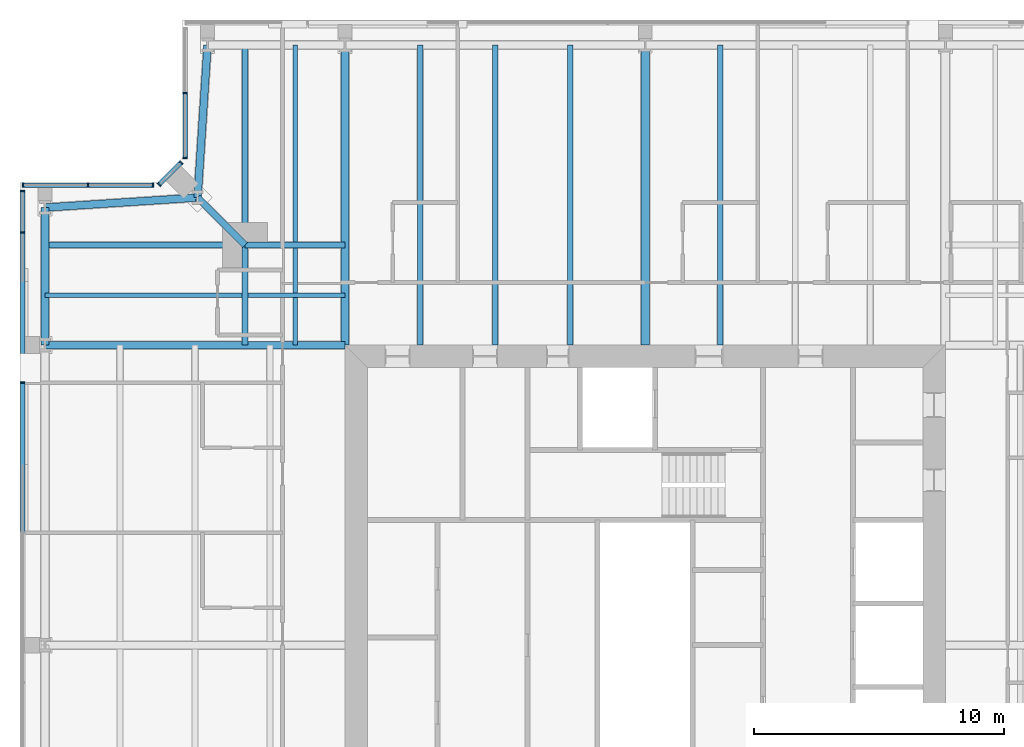
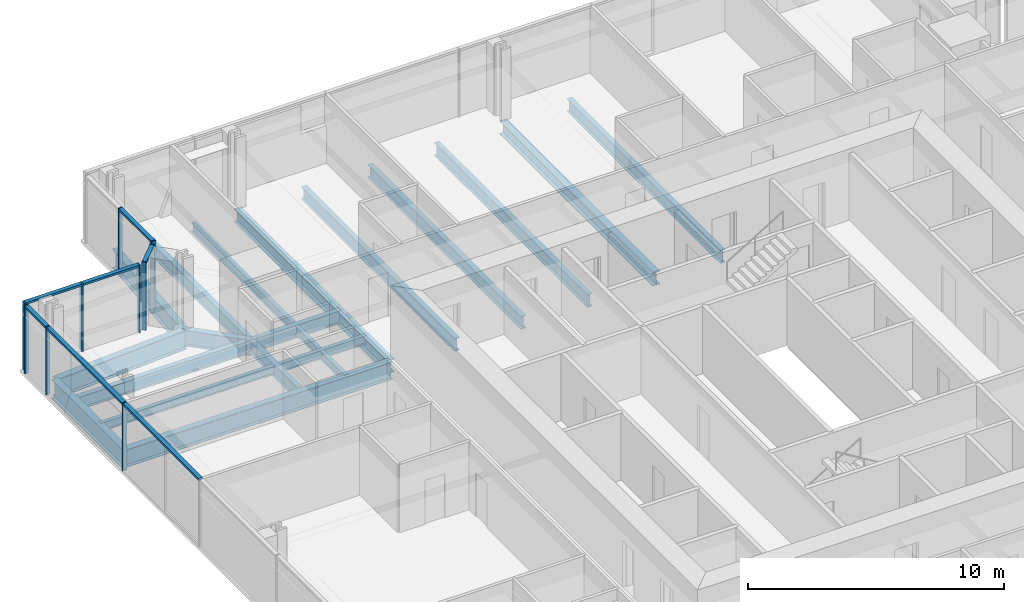
# One storey, part 7 of 18: 20 beams, 17 members, 4 elements without a shape of their own.
"""IFC4 building model written with IfcOpenShell, lengths in metres."""

from ifc_helpers import new_model, si_unit, direction, frame, origin, origin_2d, place, context, subcontext, project, spatial, rectangle, i_section, extrude, material, material_profile, profile_set, type_object, element, aggregate, save


model = new_model("IFC4")

# Units and contexts
model_context = context("Model", 3, precision=1e-05, world=origin(), true_north=direction((0.0, 1.0)))
body_context = subcontext(model_context, "Body", "Model", "MODEL_VIEW")
ifc_project = project(units=[si_unit("LENGTHUNIT", "METRE"), si_unit("AREAUNIT", "SQUARE_METRE"), si_unit("VOLUMEUNIT", "CUBIC_METRE"), si_unit("PLANEANGLEUNIT", "RADIAN"), si_unit("MASSUNIT", "GRAM", prefix="KILO")], contexts=[model_context])

# Site, building, storey
site_placement = place(None, origin())
site = spatial("IfcSite", under=ifc_project, at=site_placement, CompositionType="ELEMENT")
building_placement = place(site_placement, origin())
building = spatial("IfcBuilding", under=site, at=building_placement, Name="Fenwick Lantern Interchange", CompositionType="ELEMENT")
storey_placement = place(building_placement, frame((0.0, 0.0, 266.199951171875)))
storey = spatial("IfcBuildingStorey", under=building, at=storey_placement, Name="L63", CompositionType="ELEMENT", Elevation=266.199951171875)

# Beams
ifc_material_1 = material(Name="Steel ASTM A992 Grade 50", Category="steel")
ifc_material_profile_1 = material_profile(ifc_material_1, i_section(OverallWidth=0.3046875, OverallDepth=0.911865234375, WebThickness=0.015869140625, FlangeThickness=0.02392578125, at=origin_2d()), Name="W36X150")
ifc_profile_set_1 = profile_set([ifc_material_profile_1], Name="Steel ASTM A992 Grade 50")
beam_type_1 = type_object("IfcBeamType", Name="EDGE BEAM W36X150", PredefinedType="SPANDREL", material=ifc_profile_set_1)
for number, where, z_axis, x_axis, name in (
    (1, (7.5, 49.0, -0.60595703125), (-0.065416293237, -0.997858060337, 0.0), (0.997858060337, -0.065416293237, 0.0), "L63/FR/N/EBR1"),
    (2, (7.10009765625, 42.89990234375, -0.60595703125), (-0.997858060337, -0.065416293237, 0.0), (0.065416293237, -0.997858060337, 0.0), "L63/FR/N/EBR2"),
):
    element("IfcBeam", number, at=place(storey_placement, frame(where, z_axis=z_axis, x_axis=x_axis)), inside=storey, type_object=beam_type_1, Name=name, PredefinedType="SPANDREL", context=body_context, shape_type="SweptSolid", body=[
        extrude(i_section(OverallWidth=0.3046875, OverallDepth=0.911865234375, WebThickness=0.015869140625, FlangeThickness=0.02392578125, at=origin_2d()), origin(), (0.0, 0.0, 1.0), 6.11328125),
    ])
beam_1_placement = place(storey_placement, frame((1.0, 42.5, -0.60595703125), z_axis=(0.0, -1.0, 0.0), x_axis=(1.0, 0.0, 0.0)))
element("IfcBeam", 3, at=beam_1_placement, inside=storey, type_object=beam_type_1, Name="L63/FR/W/EB1", PredefinedType="SPANDREL", context=body_context, shape_type="SweptSolid", body=[
    extrude(i_section(OverallWidth=0.3046875, OverallDepth=0.911865234375, WebThickness=0.015869140625, FlangeThickness=0.02392578125, at=origin_2d()), origin(), (0.0, 0.0, 1.0), 5.5),
])
ifc_material_profile_2 = material_profile(ifc_material_1, i_section(OverallWidth=0.22900390625, OverallDepth=0.612060546875, WebThickness=0.011962890625, FlangeThickness=0.01953125, at=origin_2d()), Name="W24X84")
ifc_profile_set_2 = profile_set([ifc_material_profile_2], Name="Steel ASTM A992 Grade 50")
beam_type_2 = type_object("IfcBeamType", Name="FLOOR BEAM W24X84", PredefinedType="BEAM", material=ifc_profile_set_2)
for number, where, z_axis, x_axis, name in (
    (4, (28.0, 49.0, -0.4560546875), (0.0, -1.0, 0.0), (1.0, 0.0, 0.0), "L63/FR/N/R04"),
    (5, (22.0, 49.0, -0.4560546875), (0.0, -1.0, 0.0), (1.0, 0.0, 0.0), "L63/FR/N/R06"),
    (6, (19.0, 49.0, -0.4560546875), (0.0, -1.0, 0.0), (1.0, 0.0, 0.0), "L63/FR/N/R07"),
    (7, (16.0, 49.0, -0.4560546875), (0.0, -1.0, 0.0), (1.0, 0.0, 0.0), "L63/FR/N/R08"),
):
    element("IfcBeam", number, at=place(storey_placement, frame(where, z_axis=z_axis, x_axis=x_axis)), inside=storey, type_object=beam_type_2, Name=name, PredefinedType="BEAM", context=body_context, shape_type="SweptSolid", body=[
        extrude(i_section(OverallWidth=0.22900390625, OverallDepth=0.612060546875, WebThickness=0.011962890625, FlangeThickness=0.01953125, at=origin_2d()), origin(), (0.0, 0.0, 1.0), 12.0),
    ])

# Curtain wall, members
ifc_material_2 = material(Name="Aluminium curtain wall frame", Category="aluminium")
curtain_wall_type = type_object("IfcCurtainWallType", Name="HOTEL CURTAIN WALL", PredefinedType="USERDEFINED", material=ifc_material_2)
curtain_wall_1_placement = place(storey_placement, origin())
curtain_wall_1 = element("IfcCurtainWall", 8, at=curtain_wall_1_placement, inside=storey, type_object=curtain_wall_type, Name="Hotel curtain wall 10", ObjectType="HOTEL CURTAIN WALL", PredefinedType="USERDEFINED")
ifc_material_3 = material(Name="Aluminium extrusion", Category="aluminium")
ifc_material_profile_3 = material_profile(ifc_material_3, rectangle(XDim=0.179931640625, YDim=0.06005859375, at=origin_2d()), Name="HOTEL CURTAIN WALL MULLION 60 X 180")
ifc_profile_set_3 = profile_set([ifc_material_profile_3], Name="Aluminium extrusion")
member_type_1 = type_object("IfcMemberType", Name="HOTEL CURTAIN WALL MULLION 60 X 180", PredefinedType="MULLION", material=ifc_profile_set_3)
member_1_placement = place(storey_placement, frame((6.60009765625, 47.079345703125, 0.0), z_axis=(0.0, 0.0, 1.0), x_axis=(1.0, 0.0, 0.0)))
member_1 = element("IfcMember", 9, at=member_1_placement, type_object=member_type_1, Name="L63/CW/10/M01", PredefinedType="MULLION", context=body_context, shape_type="SweptSolid", body=[
    extrude(rectangle(XDim=0.179931640625, YDim=0.06005859375, at=origin_2d()), origin(), (0.0, 0.0, 1.0), 3.25),
])
member_2_placement = place(storey_placement, frame((6.60009765625, 44.488525390625, 0.0), z_axis=(0.0, 0.0, 1.0), x_axis=(1.0, 0.0, 0.0)))
member_2 = element("IfcMember", 10, at=member_2_placement, type_object=member_type_1, Name="L63/CW/10/M02", PredefinedType="MULLION", context=body_context, shape_type="SweptSolid", body=[
    extrude(rectangle(XDim=0.179931640625, YDim=0.06005859375, at=origin_2d()), origin(), (0.0, 0.0, 1.0), 3.25),
])

curtain_wall_2_placement = place(storey_placement, origin())
curtain_wall_2 = element("IfcCurtainWall", 11, at=curtain_wall_2_placement, inside=storey, type_object=curtain_wall_type, Name="Hotel curtain wall 11", ObjectType="HOTEL CURTAIN WALL", PredefinedType="USERDEFINED")
member_3_placement = place(storey_placement, frame((6.437255859375, 44.2958984375, 0.0), z_axis=(0.0, 0.0, 1.0), x_axis=(0.707106781187, -0.707106781187, 0.0)))
member_3 = element("IfcMember", 12, at=member_3_placement, type_object=member_type_1, Name="L63/CW/11/M00", PredefinedType="MULLION", context=body_context, shape_type="SweptSolid", body=[
    extrude(rectangle(XDim=0.179931640625, YDim=0.06005859375, at=origin_2d()), origin(), (0.0, 0.0, 1.0), 3.25),
])
member_4_placement = place(storey_placement, frame((5.562744140625, 43.421142578125, 0.0), z_axis=(0.0, 0.0, 1.0), x_axis=(0.707106781187, -0.707106781187, 0.0)))
member_4 = element("IfcMember", 13, at=member_4_placement, type_object=member_type_1, Name="L63/CW/11/M01", PredefinedType="MULLION", context=body_context, shape_type="SweptSolid", body=[
    extrude(rectangle(XDim=0.179931640625, YDim=0.06005859375, at=origin_2d()), origin(), (0.0, 0.0, 1.0), 3.25),
])

curtain_wall_3_placement = place(storey_placement, origin())
curtain_wall_3 = element("IfcCurtainWall", 14, at=curtain_wall_3_placement, inside=storey, type_object=curtain_wall_type, Name="Hotel curtain wall 12", ObjectType="HOTEL CURTAIN WALL", PredefinedType="USERDEFINED")
member_5_placement = place(storey_placement, frame((5.3115234375, 43.39990234375, 0.0), z_axis=(0.0, 0.0, 1.0), x_axis=(0.0, -1.0, 0.0)))
member_5 = element("IfcMember", 15, at=member_5_placement, type_object=member_type_1, Name="L63/CW/12/M00", PredefinedType="MULLION", context=body_context, shape_type="SweptSolid", body=[
    extrude(rectangle(XDim=0.179931640625, YDim=0.06005859375, at=origin_2d()), origin(), (0.0, 0.0, 1.0), 3.25),
])
member_6_placement = place(storey_placement, frame((2.720703125, 43.39990234375, 0.0), z_axis=(0.0, 0.0, 1.0), x_axis=(0.0, -1.0, 0.0)))
member_6 = element("IfcMember", 16, at=member_6_placement, type_object=member_type_1, Name="L63/CW/12/M01", PredefinedType="MULLION", context=body_context, shape_type="SweptSolid", body=[
    extrude(rectangle(XDim=0.179931640625, YDim=0.06005859375, at=origin_2d()), origin(), (0.0, 0.0, 1.0), 3.25),
])
member_7_placement = place(storey_placement, frame((0.1298828125, 43.39990234375, 0.0), z_axis=(0.0, 0.0, 1.0), x_axis=(0.0, -1.0, 0.0)))
member_7 = element("IfcMember", 17, at=member_7_placement, type_object=member_type_1, Name="L63/CW/12/M02", PredefinedType="MULLION", context=body_context, shape_type="SweptSolid", body=[
    extrude(rectangle(XDim=0.179931640625, YDim=0.06005859375, at=origin_2d()), origin(), (0.0, 0.0, 1.0), 3.25),
])

curtain_wall_4_placement = place(storey_placement, origin())
curtain_wall_4 = element("IfcCurtainWall", 18, at=curtain_wall_4_placement, inside=storey, type_object=curtain_wall_type, Name="Hotel curtain wall 13", ObjectType="HOTEL CURTAIN WALL", PredefinedType="USERDEFINED")
member_8_placement = place(storey_placement, frame((0.10009765625, 43.169921875, 0.0), z_axis=(0.0, 0.0, 1.0), x_axis=(1.0, 0.0, 0.0)))
member_8 = element("IfcMember", 19, at=member_8_placement, type_object=member_type_1, Name="L63/CW/13/M00", PredefinedType="MULLION", context=body_context, shape_type="SweptSolid", body=[
    extrude(rectangle(XDim=0.179931640625, YDim=0.06005859375, at=origin_2d()), origin(), (0.0, 0.0, 1.0), 3.25),
])
member_9_placement = place(storey_placement, frame((0.10009765625, 41.5, 0.0), z_axis=(0.0, 0.0, 1.0), x_axis=(1.0, 0.0, 0.0)))
member_9 = element("IfcMember", 20, at=member_9_placement, type_object=member_type_1, Name="L63/CW/13/M01", PredefinedType="MULLION", context=body_context, shape_type="SweptSolid", body=[
    extrude(rectangle(XDim=0.179931640625, YDim=0.06005859375, at=origin_2d()), origin(), (0.0, 0.0, 1.0), 3.25),
])
member_10_placement = place(storey_placement, frame((0.10009765625, 35.5, 0.0), z_axis=(0.0, 0.0, 1.0), x_axis=(1.0, 0.0, 0.0)))
member_10 = element("IfcMember", 21, at=member_10_placement, type_object=member_type_1, Name="L63/CW/13/M02", PredefinedType="MULLION", context=body_context, shape_type="SweptSolid", body=[
    extrude(rectangle(XDim=0.179931640625, YDim=0.06005859375, at=origin_2d()), origin(), (0.0, 0.0, 1.0), 3.25),
])

# Member
ifc_material_profile_4 = material_profile(ifc_material_3, rectangle(XDim=0.179931640625, YDim=0.10009765625, at=origin_2d()), Name="HOTEL CURTAIN WALL TRANSOM 100 X 180")
ifc_profile_set_4 = profile_set([ifc_material_profile_4], Name="Aluminium extrusion")
member_type_2 = type_object("IfcMemberType", Name="HOTEL CURTAIN WALL TRANSOM 100 X 180", PredefinedType="MULLION", material=ifc_profile_set_4)
member_11_placement = place(storey_placement, frame((6.60009765625, 47.04931640625, 3.199951171875), z_axis=(0.0, -1.0, 0.0), x_axis=(1.0, 0.0, 0.0)))
member_11 = element("IfcMember", 22, at=member_11_placement, type_object=member_type_2, Name="L63/CW/10/T01", PredefinedType="MULLION", context=body_context, shape_type="SweptSolid", body=[
    extrude(rectangle(XDim=0.179931640625, YDim=0.10009765625, at=origin_2d()), origin(), (0.0, 0.0, 1.0), 2.53076171875),
])

aggregate(curtain_wall_1, [member_1, member_2, member_11])

member_12_placement = place(storey_placement, frame((6.416259765625, 44.274658203125, 3.199951171875), z_axis=(-0.707210470133, -0.707003077033, 0.0), x_axis=(0.707003077033, -0.707210470133, 0.0)))
member_12 = element("IfcMember", 23, at=member_12_placement, type_object=member_type_2, Name="L63/CW/11/T00", PredefinedType="MULLION", context=body_context, shape_type="SweptSolid", body=[
    extrude(rectangle(XDim=0.179931640625, YDim=0.10009765625, at=origin_2d()), origin(), (0.0, 0.0, 1.0), 1.17724609375),
])

aggregate(curtain_wall_2, [member_3, member_4, member_12])

member_13_placement = place(storey_placement, frame((5.281494140625, 43.39990234375, 3.199951171875), z_axis=(-1.0, 0.0, 0.0), x_axis=(0.0, -1.0, 0.0)))
member_13 = element("IfcMember", 24, at=member_13_placement, type_object=member_type_2, Name="L63/CW/12/T00", PredefinedType="MULLION", context=body_context, shape_type="SweptSolid", body=[
    extrude(rectangle(XDim=0.179931640625, YDim=0.10009765625, at=origin_2d()), origin(), (0.0, 0.0, 1.0), 2.53076171875),
])

member_14_placement = place(storey_placement, frame((2.690673828125, 43.39990234375, 3.199951171875), z_axis=(-1.0, 0.0, 0.0), x_axis=(0.0, -1.0, 0.0)))
member_14 = element("IfcMember", 25, at=member_14_placement, type_object=member_type_2, Name="L63/CW/12/T01", PredefinedType="MULLION", context=body_context, shape_type="SweptSolid", body=[
    extrude(rectangle(XDim=0.179931640625, YDim=0.10009765625, at=origin_2d()), origin(), (0.0, 0.0, 1.0), 2.53076171875),
])

aggregate(curtain_wall_3, [member_5, member_6, member_7, member_13, member_14])

member_15_placement = place(storey_placement, frame((0.10009765625, 43.139892578125, 3.199951171875), z_axis=(0.0, -1.0, 0.0), x_axis=(1.0, 0.0, 0.0)))
member_15 = element("IfcMember", 26, at=member_15_placement, type_object=member_type_2, Name="L63/CW/13/T00", PredefinedType="MULLION", context=body_context, shape_type="SweptSolid", body=[
    extrude(rectangle(XDim=0.179931640625, YDim=0.10009765625, at=origin_2d()), origin(), (0.0, 0.0, 1.0), 1.60986328125),
])

member_16_placement = place(storey_placement, frame((0.10009765625, 41.469970703125, 3.199951171875), z_axis=(0.0, -1.0, 0.0), x_axis=(1.0, 0.0, 0.0)))
member_16 = element("IfcMember", 27, at=member_16_placement, type_object=member_type_2, Name="L63/CW/13/T01", PredefinedType="MULLION", context=body_context, shape_type="SweptSolid", body=[
    extrude(rectangle(XDim=0.179931640625, YDim=0.10009765625, at=origin_2d()), origin(), (0.0, 0.0, 1.0), 5.93994140625),
])

member_17_placement = place(storey_placement, frame((0.10009765625, 35.469970703125, 3.199951171875), z_axis=(0.0, -1.0, 0.0), x_axis=(1.0, 0.0, 0.0)))
member_17 = element("IfcMember", 28, at=member_17_placement, type_object=member_type_2, Name="L63/CW/13/T02", PredefinedType="MULLION", context=body_context, shape_type="SweptSolid", body=[
    extrude(rectangle(XDim=0.179931640625, YDim=0.10009765625, at=origin_2d()), origin(), (0.0, 0.0, 1.0), 5.93994140625),
])

aggregate(curtain_wall_4, [member_8, member_9, member_10, member_15, member_16, member_17])

# Beams
ifc_material_profile_5 = material_profile(ifc_material_1, i_section(OverallWidth=0.177734375, OverallDepth=0.406494140625, WebThickness=0.0078125, FlangeThickness=0.012939453125, at=origin_2d()), Name="W16X40")
ifc_profile_set_5 = profile_set([ifc_material_profile_5], Name="Steel ASTM A992 Grade 50")
beam_type_3 = type_object("IfcBeamType", Name="INFILL BEAM W16X40", PredefinedType="JOIST", material=ifc_profile_set_5)
beam_2_placement = place(storey_placement, frame((1.0, 39.0, -0.353271484375), z_axis=(1.0, 0.0, 0.0), x_axis=(0.0, 1.0, 0.0)))
element("IfcBeam", 29, at=beam_2_placement, inside=storey, type_object=beam_type_3, Name="L63/FR/W/J1", PredefinedType="JOIST", context=body_context, shape_type="SweptSolid", body=[
    extrude(i_section(OverallWidth=0.177734375, OverallDepth=0.406494140625, WebThickness=0.0078125, FlangeThickness=0.012939453125, at=origin_2d()), origin(), (0.0, 0.0, 1.0), 7.885498046875),
])
beam_3_placement = place(storey_placement, frame((9.114501953125, 39.0, -0.353271484375), z_axis=(1.0, 0.0, 0.0), x_axis=(0.0, 1.0, 0.0)))
element("IfcBeam", 30, at=beam_3_placement, inside=storey, type_object=beam_type_3, Name="L63/FR/W/J2", PredefinedType="JOIST", context=body_context, shape_type="SweptSolid", body=[
    extrude(i_section(OverallWidth=0.177734375, OverallDepth=0.406494140625, WebThickness=0.0078125, FlangeThickness=0.012939453125, at=origin_2d()), origin(), (0.0, 0.0, 1.0), 3.885498046875),
])
beam_4_placement = place(storey_placement, frame((11.0, 49.0, -0.353271484375), z_axis=(0.0, -1.0, 0.0), x_axis=(1.0, 0.0, 0.0)))
element("IfcBeam", 31, at=beam_4_placement, inside=storey, type_object=beam_type_3, Name="L63/FR/W/J3", PredefinedType="JOIST", context=body_context, shape_type="SweptSolid", body=[
    extrude(i_section(OverallWidth=0.177734375, OverallDepth=0.406494140625, WebThickness=0.0078125, FlangeThickness=0.012939453125, at=origin_2d()), origin(), (0.0, 0.0, 1.0), 7.885498046875),
])
beam_5_placement = place(storey_placement, frame((11.0, 40.885498046875, -0.353271484375), z_axis=(0.0, -1.0, 0.0), x_axis=(1.0, 0.0, 0.0)))
element("IfcBeam", 32, at=beam_5_placement, inside=storey, type_object=beam_type_3, Name="L63/FR/W/J4", PredefinedType="JOIST", context=body_context, shape_type="SweptSolid", body=[
    extrude(i_section(OverallWidth=0.177734375, OverallDepth=0.406494140625, WebThickness=0.0078125, FlangeThickness=0.012939453125, at=origin_2d()), origin(), (0.0, 0.0, 1.0), 1.796630859375),
])
beam_6_placement = place(storey_placement, frame((11.0, 38.9111328125, -0.353271484375), z_axis=(0.0, -1.0, 0.0), x_axis=(1.0, 0.0, 0.0)))
element("IfcBeam", 33, at=beam_6_placement, inside=storey, type_object=beam_type_3, Name="L63/FR/W/J5", PredefinedType="JOIST", context=body_context, shape_type="SweptSolid", body=[
    extrude(i_section(OverallWidth=0.177734375, OverallDepth=0.406494140625, WebThickness=0.0078125, FlangeThickness=0.012939453125, at=origin_2d()), origin(), (0.0, 0.0, 1.0), 1.9111328125),
])
ifc_material_profile_6 = material_profile(ifc_material_1, i_section(OverallWidth=0.22900390625, OverallDepth=0.612060546875, WebThickness=0.011962890625, FlangeThickness=0.01953125, at=origin_2d()), Name="W24X84")
ifc_profile_set_6 = profile_set([ifc_material_profile_6], Name="Steel ASTM A992 Grade 50")
beam_type_4 = type_object("IfcBeamType", Name="MEGA COLUMN BEAM W24X84", PredefinedType="BEAM", material=ifc_profile_set_6)
for number, where, z_axis, x_axis, name in (
    (34, (9.0, 41.0, -0.4560546875), (-1.0, 0.0, 0.0), (0.0, -1.0, 0.0), "L63/FR/W/MB1"),
    (35, (9.0, 41.0, -0.4560546875), (0.0, 1.0, 0.0), (-1.0, 0.0, 0.0), "L63/FR/W/MB2"),
):
    element("IfcBeam", number, at=place(storey_placement, frame(where, z_axis=z_axis, x_axis=x_axis)), inside=storey, type_object=beam_type_4, Name=name, PredefinedType="BEAM", context=body_context, shape_type="SweptSolid", body=[
        extrude(i_section(OverallWidth=0.22900390625, OverallDepth=0.612060546875, WebThickness=0.011962890625, FlangeThickness=0.01953125, at=origin_2d()), origin(), (0.0, 0.0, 1.0), 8.0),
    ])
for number, where, z_axis, x_axis, name in (
    (36, (9.0, 41.0, -0.4560546875), (0.0, -1.0, 0.0), (1.0, 0.0, 0.0), "L63/FR/W/MB3"),
    (37, (9.0, 41.0, -0.4560546875), (1.0, 0.0, 0.0), (0.0, 1.0, 0.0), "L63/FR/W/MB4"),
):
    element("IfcBeam", number, at=place(storey_placement, frame(where, z_axis=z_axis, x_axis=x_axis)), inside=storey, type_object=beam_type_4, Name=name, PredefinedType="BEAM", context=body_context, shape_type="SweptSolid", body=[
        extrude(i_section(OverallWidth=0.22900390625, OverallDepth=0.612060546875, WebThickness=0.011962890625, FlangeThickness=0.01953125, at=origin_2d()), origin(), (0.0, 0.0, 1.0), 4.0),
    ])
ifc_material_profile_7 = material_profile(ifc_material_1, i_section(OverallWidth=0.32763671875, OverallDepth=0.622314453125, WebThickness=0.015380859375, FlangeThickness=0.0244140625, at=origin_2d()), Name="W24X131")
ifc_profile_set_7 = profile_set([ifc_material_profile_7], Name="Steel ASTM A992 Grade 50")
beam_type_5 = type_object("IfcBeamType", Name="MOMENT-CONNECTED GIRDER W24X131", PredefinedType="BEAM", material=ifc_profile_set_7)
for number, where, z_axis, x_axis, name in (
    (38, (25.0, 49.0, -0.461181640625), (0.0, -1.0, 0.0), (1.0, 0.0, 0.0), "L63/FR/N/R05"),
    (39, (13.0, 49.0, -0.461181640625), (0.0, -1.0, 0.0), (1.0, 0.0, 0.0), "L63/FR/N/R09"),
):
    element("IfcBeam", number, at=place(storey_placement, frame(where, z_axis=z_axis, x_axis=x_axis)), inside=storey, type_object=beam_type_5, Name=name, PredefinedType="BEAM", context=body_context, shape_type="SweptSolid", body=[
        extrude(i_section(OverallWidth=0.32763671875, OverallDepth=0.622314453125, WebThickness=0.015380859375, FlangeThickness=0.0244140625, at=origin_2d()), origin(), (0.0, 0.0, 1.0), 12.0),
    ])
ifc_material_profile_8 = material_profile(ifc_material_1, i_section(OverallWidth=0.2919921875, OverallDepth=0.845703125, WebThickness=0.015380859375, FlangeThickness=0.0244140625, at=origin_2d()), Name="W33X141")
ifc_profile_set_8 = profile_set([ifc_material_profile_8], Name="Steel ASTM A992 Grade 50")
beam_type_6 = type_object("IfcBeamType", Name="MOMENT-CONNECTED GIRDER W33X141", PredefinedType="BEAM", material=ifc_profile_set_8)
beam_7_placement = place(storey_placement, frame((1.0, 37.0, -0.57275390625), z_axis=(1.0, 0.0, 0.0), x_axis=(0.0, 1.0, 0.0)))
element("IfcBeam", 40, at=beam_7_placement, inside=storey, type_object=beam_type_6, Name="L63/FR/W/R01", PredefinedType="BEAM", context=body_context, shape_type="SweptSolid", body=[
    extrude(i_section(OverallWidth=0.2919921875, OverallDepth=0.845703125, WebThickness=0.015380859375, FlangeThickness=0.0244140625, at=origin_2d()), origin(), (0.0, 0.0, 1.0), 12.0),
])
ifc_material_profile_9 = material_profile(ifc_material_1, i_section(OverallWidth=0.2666015625, OverallDepth=0.7568359375, WebThickness=0.013916015625, FlangeThickness=0.019287109375, at=origin_2d()), Name="W30X108")
ifc_profile_set_9 = profile_set([ifc_material_profile_9], Name="Steel ASTM A992 Grade 50")
beam_type_7 = type_object("IfcBeamType", Name="NOTCH BEAM W30X108", PredefinedType="BEAM", material=ifc_profile_set_9)
beam_8_placement = place(storey_placement, frame((9.0, 41.0, -0.5283203125), z_axis=(-0.707106781187, 0.707106781187, 0.0), x_axis=(-0.707106781187, -0.707106781187, 0.0)))
element("IfcBeam", 41, at=beam_8_placement, inside=storey, type_object=beam_type_7, Name="L63/FR/W/TG", PredefinedType="BEAM", context=body_context, shape_type="SweptSolid", body=[
    extrude(i_section(OverallWidth=0.2666015625, OverallDepth=0.7568359375, WebThickness=0.013916015625, FlangeThickness=0.019287109375, at=origin_2d()), origin(), (0.0, 0.0, 1.0), 2.686767578125),
])

save(model, "model.ifc")
